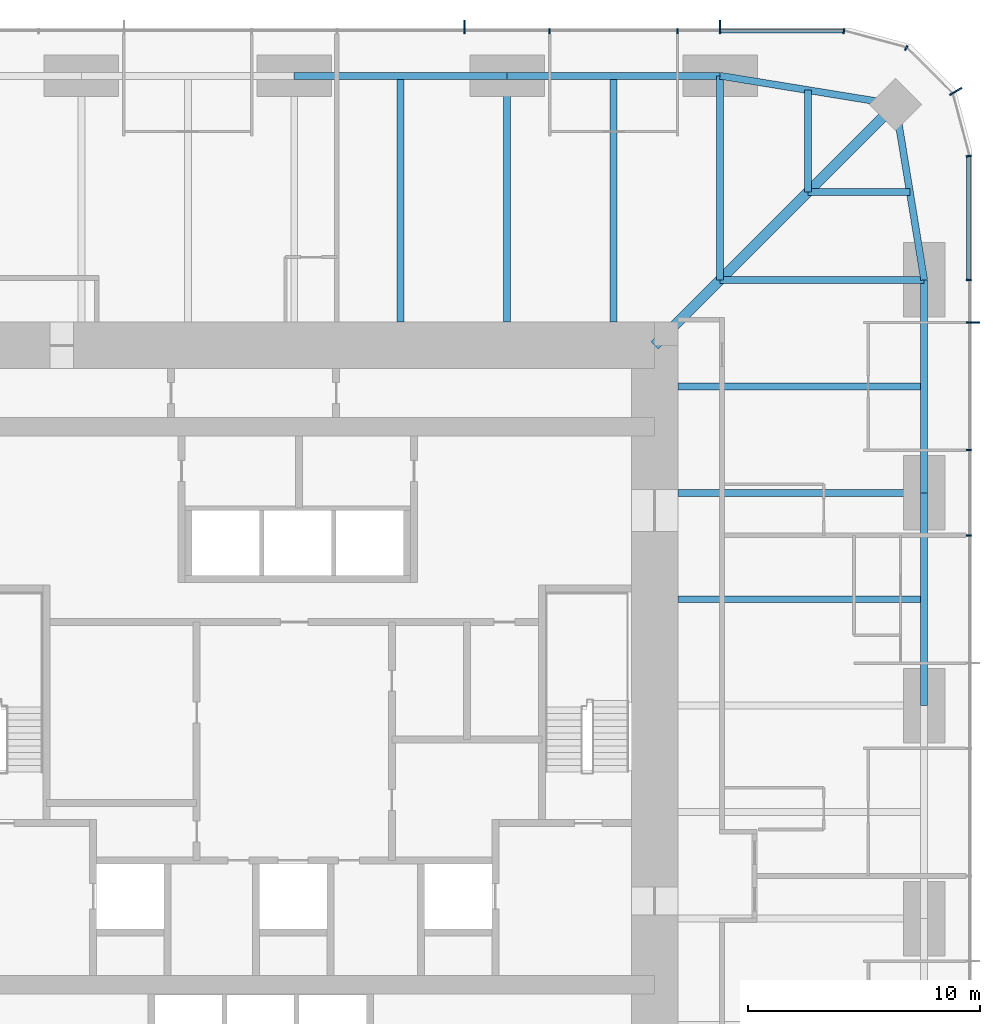
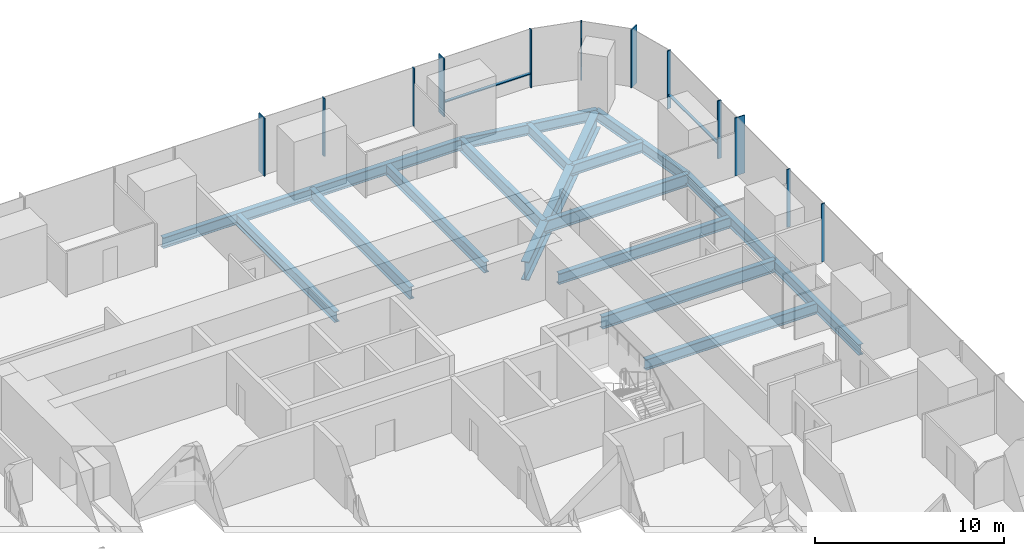
# One storey, part 6 of 13: 17 beams, 14 members, 3 elements without a shape of their own.
"""IFC4 building model written with IfcOpenShell, lengths in metres."""

from ifc_helpers import new_model, si_unit, direction, frame, origin, origin_2d, place, context, subcontext, project, spatial, rectangle, i_section, extrude, material, material_profile, profile_set, type_object, element, aggregate, save


model = new_model("IFC4")

# Units and contexts
model_context = context("Model", 3, precision=1e-05, world=origin(), true_north=direction((0.0, 1.0)))
body_context = subcontext(model_context, "Body", "Model", "MODEL_VIEW")
ifc_project = project(units=[si_unit("LENGTHUNIT", "METRE"), si_unit("AREAUNIT", "SQUARE_METRE"), si_unit("VOLUMEUNIT", "CUBIC_METRE"), si_unit("PLANEANGLEUNIT", "RADIAN"), si_unit("MASSUNIT", "GRAM", prefix="KILO")], contexts=[model_context])

# Site, building, storey
site_placement = place(None, origin())
site = spatial("IfcSite", under=ifc_project, at=site_placement, CompositionType="ELEMENT")
building_placement = place(site_placement, origin())
building = spatial("IfcBuilding", under=site, at=building_placement, Name="Khuree Lantern Residences", CompositionType="ELEMENT")
storey_placement = place(building_placement, frame((0.0, 0.0, 122.25)))
storey = spatial("IfcBuildingStorey", under=building, at=storey_placement, Name="L30", CompositionType="ELEMENT", Elevation=122.25)

# Beams
ifc_material_1 = material(Name="Steel S355", Category="steel")
ifc_material_profile_1 = material_profile(ifc_material_1, i_section(OverallWidth=0.300048828125, OverallDepth=0.68994140625, WebThickness=0.014404296875, FlangeThickness=0.027099609375, FilletRadius=0.027099609375, at=origin_2d()), Name="HE 700 A")
ifc_profile_set_1 = profile_set([ifc_material_profile_1], Name="Steel S355")
beam_type_1 = type_object("IfcBeamType", Name="B-22 SECONDARY BEAM HE 700 A", PredefinedType="BEAM", material=ifc_profile_set_1)
for number, where, z_axis, x_axis, name in (
    (1, (4.580078125, 27.10009765625, -0.594970703125), (0.0, -1.0, 0.0), (1.0, 0.0, 0.0), "Secondary beam N3"),
    (2, (13.739990234375, 27.10009765625, -0.594970703125), (0.0, -1.0, 0.0), (1.0, 0.0, 0.0), "Secondary beam N4"),
):
    element("IfcBeam", number, at=place(storey_placement, frame(where, z_axis=z_axis, x_axis=x_axis)), inside=storey, type_object=beam_type_1, Name=name, PredefinedType="BEAM", context=body_context, shape_type="SweptSolid", body=[
        extrude(i_section(OverallWidth=0.300048828125, OverallDepth=0.68994140625, WebThickness=0.014404296875, FlangeThickness=0.027099609375, FilletRadius=0.027099609375, at=origin_2d()), origin(), (0.0, 0.0, 1.0), 10.60009765625),
    ])
for number, where, z_axis, x_axis, name in (
    (3, (22.094970703125, 26.48486328125, -0.594970703125), (0.0, -1.0, 0.0), (1.0, 0.0, 0.0), "Secondary beam N5"),
    (4, (26.48486328125, 22.094970703125, -0.594970703125), (-1.0, 0.0, 0.0), (0.0, -1.0, 0.0), "Secondary beam E1"),
):
    element("IfcBeam", number, at=place(storey_placement, frame(where, z_axis=z_axis, x_axis=x_axis)), inside=storey, type_object=beam_type_1, Name=name, PredefinedType="BEAM", context=body_context, shape_type="SweptSolid", body=[
        extrude(i_section(OverallWidth=0.300048828125, OverallDepth=0.68994140625, WebThickness=0.014404296875, FlangeThickness=0.027099609375, FilletRadius=0.027099609375, at=origin_2d()), origin(), (0.0, 0.0, 1.0), 4.389892578125),
    ])
for number, where, z_axis, x_axis, name in (
    (5, (27.10009765625, 13.739990234375, -0.594970703125), (-1.0, 0.0, 0.0), (0.0, -1.0, 0.0), "Secondary beam E2"),
    (6, (27.10009765625, 4.580078125, -0.594970703125), (-1.0, 0.0, 0.0), (0.0, -1.0, 0.0), "Secondary beam E3"),
):
    element("IfcBeam", number, at=place(storey_placement, frame(where, z_axis=z_axis, x_axis=x_axis)), inside=storey, type_object=beam_type_1, Name=name, PredefinedType="BEAM", context=body_context, shape_type="SweptSolid", body=[
        extrude(i_section(OverallWidth=0.300048828125, OverallDepth=0.68994140625, WebThickness=0.014404296875, FlangeThickness=0.027099609375, FilletRadius=0.027099609375, at=origin_2d()), origin(), (0.0, 0.0, 1.0), 10.60009765625),
    ])
ifc_material_profile_2 = material_profile(ifc_material_1, i_section(OverallWidth=0.300048828125, OverallDepth=0.68994140625, WebThickness=0.014404296875, FlangeThickness=0.027099609375, FilletRadius=0.027099609375, at=origin_2d()), Name="HE 700 A")
ifc_profile_set_2 = profile_set([ifc_material_profile_2], Name="Steel S355")
beam_type_2 = type_object("IfcBeamType", Name="E-22 SPANDREL BEAM HE 700 A", PredefinedType="SPANDREL", material=ifc_profile_set_2)
beam_1_placement = place(storey_placement, frame((0.0, 27.10009765625, -0.594970703125), z_axis=(1.0, 0.0, 0.0), x_axis=(0.0, 1.0, 0.0)))
element("IfcBeam", 7, at=beam_1_placement, inside=storey, type_object=beam_type_2, Name="Spandrel beam N3", PredefinedType="SPANDREL", context=body_context, shape_type="SweptSolid", body=[
    extrude(i_section(OverallWidth=0.300048828125, OverallDepth=0.68994140625, WebThickness=0.014404296875, FlangeThickness=0.027099609375, FilletRadius=0.027099609375, at=origin_2d()), origin(), (0.0, 0.0, 1.0), 9.159912109375),
])
beam_2_placement = place(storey_placement, frame((9.159912109375, 27.10009765625, -0.594970703125), z_axis=(1.0, 0.0, 0.0), x_axis=(0.0, 1.0, 0.0)))
element("IfcBeam", 8, at=beam_2_placement, inside=storey, type_object=beam_type_2, Name="Spandrel beam N4", PredefinedType="SPANDREL", context=body_context, shape_type="SweptSolid", body=[
    extrude(i_section(OverallWidth=0.300048828125, OverallDepth=0.68994140625, WebThickness=0.014404296875, FlangeThickness=0.027099609375, FilletRadius=0.027099609375, at=origin_2d()), origin(), (0.0, 0.0, 1.0), 9.16015625),
])
for number, where, z_axis, x_axis, name in (
    (9, (18.320068359375, 27.10009765625, -0.594970703125), (0.986982656839, -0.160826723833, 0.0), (0.160826723833, 0.986982656839, 0.0), "Spandrel beam N5"),
    (10, (25.869873046875, 25.869873046875, -0.594970703125), (0.160826723833, -0.986982656839, 0.0), (0.986982656839, 0.160826723833, 0.0), "Spandrel beam E1"),
):
    element("IfcBeam", number, at=place(storey_placement, frame(where, z_axis=z_axis, x_axis=x_axis)), inside=storey, type_object=beam_type_2, Name=name, PredefinedType="SPANDREL", context=body_context, shape_type="SweptSolid", body=[
        extrude(i_section(OverallWidth=0.300048828125, OverallDepth=0.68994140625, WebThickness=0.014404296875, FlangeThickness=0.027099609375, FilletRadius=0.027099609375, at=origin_2d()), origin(), (0.0, 0.0, 1.0), 7.6494140625),
    ])
beam_3_placement = place(storey_placement, frame((27.10009765625, 18.320068359375, -0.594970703125), z_axis=(0.0, -1.0, 0.0), x_axis=(1.0, 0.0, 0.0)))
element("IfcBeam", 11, at=beam_3_placement, inside=storey, type_object=beam_type_2, Name="Spandrel beam E2", PredefinedType="SPANDREL", context=body_context, shape_type="SweptSolid", body=[
    extrude(i_section(OverallWidth=0.300048828125, OverallDepth=0.68994140625, WebThickness=0.014404296875, FlangeThickness=0.027099609375, FilletRadius=0.027099609375, at=origin_2d()), origin(), (0.0, 0.0, 1.0), 9.16015625),
])
beam_4_placement = place(storey_placement, frame((27.10009765625, 9.159912109375, -0.594970703125), z_axis=(0.0, -1.0, 0.0), x_axis=(1.0, 0.0, 0.0)))
element("IfcBeam", 12, at=beam_4_placement, inside=storey, type_object=beam_type_2, Name="Spandrel beam E3", PredefinedType="SPANDREL", context=body_context, shape_type="SweptSolid", body=[
    extrude(i_section(OverallWidth=0.300048828125, OverallDepth=0.68994140625, WebThickness=0.014404296875, FlangeThickness=0.027099609375, FilletRadius=0.027099609375, at=origin_2d()), origin(), (0.0, 0.0, 1.0), 9.159912109375),
])

# Curtain wall, member
ifc_material_2 = material(Name="Bronze anodised aluminium", Category="aluminium")
curtain_wall_type_1 = type_object("IfcCurtainWallType", Name="CW-T1 TOWER FACE CURTAIN WALL", PredefinedType="USERDEFINED", material=ifc_material_2)
curtain_wall_1_placement = place(storey_placement, origin())
curtain_wall_1 = element("IfcCurtainWall", 13, at=curtain_wall_1_placement, inside=storey, type_object=curtain_wall_type_1, Name="L30 EAST FACE CURTAIN WALL", ObjectType="Stick-built curtain wall", PredefinedType="USERDEFINED")
ifc_material_profile_3 = material_profile(ifc_material_2, rectangle(XDim=0.06494140625, YDim=0.60009765625, at=origin_2d()), Name="F1 65X600")
ifc_profile_set_3 = profile_set([ifc_material_profile_3], Name="Bronze anodised aluminium")
member_type_1 = type_object("IfcMemberType", Name="F1 BRONZE FIN MULLION TOWER 65X600", PredefinedType="MULLION", material=ifc_profile_set_3)
member_1_placement = place(storey_placement, frame((29.199951171875, 16.488037109375, 0.0), z_axis=(0.0, 0.0, 1.0), x_axis=(0.0, 1.0, 0.0)))
member_1 = element("IfcMember", 14, at=member_1_placement, type_object=member_type_1, Name="L30 EAST FACE FIN MULLION 13", PredefinedType="MULLION", context=body_context, shape_type="SweptSolid", body=[
    extrude(rectangle(XDim=0.06494140625, YDim=0.60009765625, at=origin_2d()), origin(), (0.0, 0.0, 1.0), 3.75),
])

curtain_wall_type_2 = type_object("IfcCurtainWallType", Name="CW-T2 TOWER CORNER CURTAIN WALL", PredefinedType="USERDEFINED", material=ifc_material_2)
curtain_wall_2_placement = place(storey_placement, origin())
curtain_wall_2 = element("IfcCurtainWall", 15, at=curtain_wall_2_placement, inside=storey, type_object=curtain_wall_type_2, Name="L30 NORTH-EAST CORNER CURTAIN WALL", ObjectType="Faceted corner curtain wall", PredefinedType="USERDEFINED")
member_2_placement = place(storey_placement, frame((28.45654296875, 26.425048828125, 0.0), z_axis=(0.0, 0.0, 1.0), x_axis=(-0.500000026995, 0.866025388199, 0.0)))
member_2 = element("IfcMember", 16, at=member_2_placement, type_object=member_type_1, Name="L30 NORTH-EAST CORNER FIN MULLION 16", PredefinedType="MULLION", context=body_context, shape_type="SweptSolid", body=[
    extrude(rectangle(XDim=0.06494140625, YDim=0.60009765625, at=origin_2d()), origin(), (0.0, 0.0, 1.0), 3.75),
])

# Curtain wall, members
curtain_wall_3_placement = place(storey_placement, origin())
curtain_wall_3 = element("IfcCurtainWall", 17, at=curtain_wall_3_placement, inside=storey, type_object=curtain_wall_type_1, Name="L30 NORTH FACE CURTAIN WALL", ObjectType="Stick-built curtain wall", PredefinedType="USERDEFINED")
member_3_placement = place(storey_placement, frame((18.320068359375, 29.199951171875, 0.0), z_axis=(0.0, 0.0, 1.0), x_axis=(-1.0, 0.0, 0.0)))
member_3 = element("IfcMember", 18, at=member_3_placement, type_object=member_type_1, Name="L30 NORTH FACE FIN MULLION 19", PredefinedType="MULLION", context=body_context, shape_type="SweptSolid", body=[
    extrude(rectangle(XDim=0.06494140625, YDim=0.60009765625, at=origin_2d()), origin(), (0.0, 0.0, 1.0), 3.75),
])
member_4_placement = place(storey_placement, frame((7.327880859375, 29.199951171875, 0.0), z_axis=(0.0, 0.0, 1.0), x_axis=(-1.0, 0.0, 0.0)))
member_4 = element("IfcMember", 19, at=member_4_placement, type_object=member_type_1, Name="L30 NORTH FACE FIN MULLION 22", PredefinedType="MULLION", context=body_context, shape_type="SweptSolid", body=[
    extrude(rectangle(XDim=0.06494140625, YDim=0.60009765625, at=origin_2d()), origin(), (0.0, 0.0, 1.0), 3.75),
])

# Beams
ifc_material_profile_4 = material_profile(ifc_material_1, i_section(OverallWidth=0.300048828125, OverallDepth=0.800048828125, WebThickness=0.017578125, FlangeThickness=0.032958984375, FilletRadius=0.030029296875, at=origin_2d()), Name="HE 800 B")
ifc_profile_set_4 = profile_set([ifc_material_profile_4], Name="Steel S355")
beam_type_3 = type_object("IfcBeamType", Name="G-22 GIRDER HE 800 B", PredefinedType="BEAM", material=ifc_profile_set_4)
beam_5_placement = place(storey_placement, frame((9.159912109375, 27.10009765625, -0.64990234375), z_axis=(0.0, -1.0, 0.0), x_axis=(1.0, 0.0, 0.0)))
element("IfcBeam", 20, at=beam_5_placement, inside=storey, type_object=beam_type_3, Name="Girder N4", PredefinedType="BEAM", context=body_context, shape_type="SweptSolid", body=[
    extrude(i_section(OverallWidth=0.300048828125, OverallDepth=0.800048828125, WebThickness=0.017578125, FlangeThickness=0.032958984375, FilletRadius=0.030029296875, at=origin_2d()), origin(), (0.0, 0.0, 1.0), 10.60009765625),
])
for number, where, z_axis, x_axis, name in (
    (21, (18.320068359375, 27.10009765625, -0.64990234375), (0.0, -1.0, 0.0), (1.0, 0.0, 0.0), "Girder N5"),
    (22, (27.10009765625, 18.320068359375, -0.64990234375), (-1.0, 0.0, 0.0), (0.0, -1.0, 0.0), "Girder E1"),
):
    element("IfcBeam", number, at=place(storey_placement, frame(where, z_axis=z_axis, x_axis=x_axis)), inside=storey, type_object=beam_type_3, Name=name, PredefinedType="BEAM", context=body_context, shape_type="SweptSolid", body=[
        extrude(i_section(OverallWidth=0.300048828125, OverallDepth=0.800048828125, WebThickness=0.017578125, FlangeThickness=0.032958984375, FilletRadius=0.030029296875, at=origin_2d()), origin(), (0.0, 0.0, 1.0), 8.780029296875),
    ])
beam_6_placement = place(storey_placement, frame((27.10009765625, 9.159912109375, -0.64990234375), z_axis=(-1.0, 0.0, 0.0), x_axis=(0.0, -1.0, 0.0)))
element("IfcBeam", 23, at=beam_6_placement, inside=storey, type_object=beam_type_3, Name="Girder E2", PredefinedType="BEAM", context=body_context, shape_type="SweptSolid", body=[
    extrude(i_section(OverallWidth=0.300048828125, OverallDepth=0.800048828125, WebThickness=0.017578125, FlangeThickness=0.032958984375, FilletRadius=0.030029296875, at=origin_2d()), origin(), (0.0, 0.0, 1.0), 10.60009765625),
])
ifc_material_profile_5 = material_profile(ifc_material_1, i_section(OverallWidth=0.449951171875, OverallDepth=1.199951171875, WebThickness=0.02490234375, FlangeThickness=0.044921875, at=origin_2d()), Name="WELDED I 1200X450X25X45")
ifc_profile_set_5 = profile_set([ifc_material_profile_5], Name="Steel S355")
beam_type_4 = type_object("IfcBeamType", Name="GD-22 CORNER GIRDER WELDED I 1200X450X25X45", PredefinedType="BEAM", material=ifc_profile_set_5)
beam_7_placement = place(storey_placement, frame((25.869873046875, 25.869873046875, -0.85009765625), z_axis=(-0.707106781187, -0.707106781187, 0.0), x_axis=(0.707106781187, -0.707106781187, 0.0)))
element("IfcBeam", 24, at=beam_7_placement, inside=storey, type_object=beam_type_4, Name="Corner girder NE", PredefinedType="BEAM", context=body_context, shape_type="SweptSolid", body=[
    extrude(i_section(OverallWidth=0.449951171875, OverallDepth=1.199951171875, WebThickness=0.02490234375, FlangeThickness=0.044921875, at=origin_2d()), origin(), (0.0, 0.0, 1.0), 14.665283203125),
])

# Member
ifc_material_profile_6 = material_profile(ifc_material_2, rectangle(XDim=0.06494140625, YDim=0.219970703125, at=origin_2d()), Name="M1 65X220")
ifc_profile_set_6 = profile_set([ifc_material_profile_6], Name="Bronze anodised aluminium")
member_type_2 = type_object("IfcMemberType", Name="M1 BRONZE MULLION TOWER 65X220", PredefinedType="MULLION", material=ifc_profile_set_6)
member_5_placement = place(storey_placement, frame((29.010009765625, 7.327880859375, 0.0), z_axis=(0.0, 0.0, 1.0), x_axis=(0.0, 1.0, 0.0)))
member_5 = element("IfcMember", 25, at=member_5_placement, type_object=member_type_2, Name="L30 EAST FACE MULLION 11", PredefinedType="MULLION", context=body_context, shape_type="SweptSolid", body=[
    extrude(rectangle(XDim=0.06494140625, YDim=0.219970703125, at=origin_2d()), origin(), (0.0, 0.0, 1.0), 3.75),
])

member_6_placement = place(storey_placement, frame((29.010009765625, 10.991943359375, 0.0), z_axis=(0.0, 0.0, 1.0), x_axis=(0.0, 1.0, 0.0)))
member_6 = element("IfcMember", 26, at=member_6_placement, type_object=member_type_2, Name="L30 EAST FACE MULLION 12", PredefinedType="MULLION", context=body_context, shape_type="SweptSolid", body=[
    extrude(rectangle(XDim=0.06494140625, YDim=0.219970703125, at=origin_2d()), origin(), (0.0, 0.0, 1.0), 3.75),
])

member_7_placement = place(storey_placement, frame((29.010009765625, 18.320068359375, 0.0), z_axis=(0.0, 0.0, 1.0), x_axis=(0.0, 1.0, 0.0)))
member_7 = element("IfcMember", 27, at=member_7_placement, type_object=member_type_2, Name="L30 EAST FACE MULLION 14", PredefinedType="MULLION", context=body_context, shape_type="SweptSolid", body=[
    extrude(rectangle(XDim=0.06494140625, YDim=0.219970703125, at=origin_2d()), origin(), (0.0, 0.0, 1.0), 3.75),
])

member_8_placement = place(storey_placement, frame((29.01171875, 23.64501953125, 0.0), z_axis=(0.0, 0.0, 1.0), x_axis=(-0.130526223125, 0.991444857305, 0.0)))
member_8 = element("IfcMember", 28, at=member_8_placement, type_object=member_type_2, Name="L30 NORTH-EAST CORNER MULLION 15", PredefinedType="MULLION", context=body_context, shape_type="SweptSolid", body=[
    extrude(rectangle(XDim=0.06494140625, YDim=0.219970703125, at=origin_2d()), origin(), (0.0, 0.0, 1.0), 3.75),
])

member_9_placement = place(storey_placement, frame((26.330078125, 28.2919921875, 0.0), z_axis=(0.0, 0.0, 1.0), x_axis=(-0.866025388199, 0.500000026995, 0.0)))
member_9 = element("IfcMember", 29, at=member_9_placement, type_object=member_type_2, Name="L30 NORTH-EAST CORNER MULLION 17", PredefinedType="MULLION", context=body_context, shape_type="SweptSolid", body=[
    extrude(rectangle(XDim=0.06494140625, YDim=0.219970703125, at=origin_2d()), origin(), (0.0, 0.0, 1.0), 3.75),
])

aggregate(curtain_wall_2, [member_8, member_2, member_9])

member_10_placement = place(storey_placement, frame((23.64501953125, 29.01171875, 0.0), z_axis=(0.0, 0.0, 1.0), x_axis=(-0.991444857305, 0.130526223125, 0.0)))
member_10 = element("IfcMember", 30, at=member_10_placement, type_object=member_type_2, Name="L30 NORTH FACE MULLION 18", PredefinedType="MULLION", context=body_context, shape_type="SweptSolid", body=[
    extrude(rectangle(XDim=0.06494140625, YDim=0.219970703125, at=origin_2d()), origin(), (0.0, 0.0, 1.0), 3.75),
])

member_11_placement = place(storey_placement, frame((16.488037109375, 29.010009765625, 0.0), z_axis=(0.0, 0.0, 1.0), x_axis=(-1.0, 0.0, 0.0)))
member_11 = element("IfcMember", 31, at=member_11_placement, type_object=member_type_2, Name="L30 NORTH FACE MULLION 20", PredefinedType="MULLION", context=body_context, shape_type="SweptSolid", body=[
    extrude(rectangle(XDim=0.06494140625, YDim=0.219970703125, at=origin_2d()), origin(), (0.0, 0.0, 1.0), 3.75),
])

member_12_placement = place(storey_placement, frame((10.991943359375, 29.010009765625, 0.0), z_axis=(0.0, 0.0, 1.0), x_axis=(-1.0, 0.0, 0.0)))
member_12 = element("IfcMember", 32, at=member_12_placement, type_object=member_type_2, Name="L30 NORTH FACE MULLION 21", PredefinedType="MULLION", context=body_context, shape_type="SweptSolid", body=[
    extrude(rectangle(XDim=0.06494140625, YDim=0.219970703125, at=origin_2d()), origin(), (0.0, 0.0, 1.0), 3.75),
])

ifc_material_profile_7 = material_profile(ifc_material_2, rectangle(XDim=0.179931640625, YDim=0.06494140625, at=origin_2d()), Name="T1 180X65")
ifc_profile_set_7 = profile_set([ifc_material_profile_7], Name="Bronze anodised aluminium")
member_type_3 = type_object("IfcMemberType", Name="TRANSOM T1 TOWER 180X65", PredefinedType="USERDEFINED", material=ifc_profile_set_7)
member_13_placement = place(storey_placement, frame((29.02001953125, 18.3525390625, 0.89990234375), z_axis=(0.0, 1.0, 0.0), x_axis=(-1.0, 0.0, 0.0)))
member_13 = element("IfcMember", 33, at=member_13_placement, type_object=member_type_3, Name="L30 EAST FACE TRANSOM 14.1", ObjectType="Transom", PredefinedType="USERDEFINED", context=body_context, shape_type="SweptSolid", body=[
    extrude(rectangle(XDim=0.179931640625, YDim=0.06494140625, at=origin_2d()), origin(), (0.0, 0.0, 1.0), 5.248779296875),
])

aggregate(curtain_wall_1, [member_5, member_6, member_1, member_7, member_13])

member_14_placement = place(storey_placement, frame((23.601318359375, 29.02001953125, 0.89990234375), z_axis=(-1.0, 0.0, 0.0), x_axis=(0.0, -1.0, 0.0)))
member_14 = element("IfcMember", 34, at=member_14_placement, type_object=member_type_3, Name="L30 NORTH FACE TRANSOM 18.1", ObjectType="Transom", PredefinedType="USERDEFINED", context=body_context, shape_type="SweptSolid", body=[
    extrude(rectangle(XDim=0.179931640625, YDim=0.06494140625, at=origin_2d()), origin(), (0.0, 0.0, 1.0), 5.248779296875),
])

aggregate(curtain_wall_3, [member_10, member_3, member_11, member_12, member_4, member_14])

save(model, "model.ifc")
